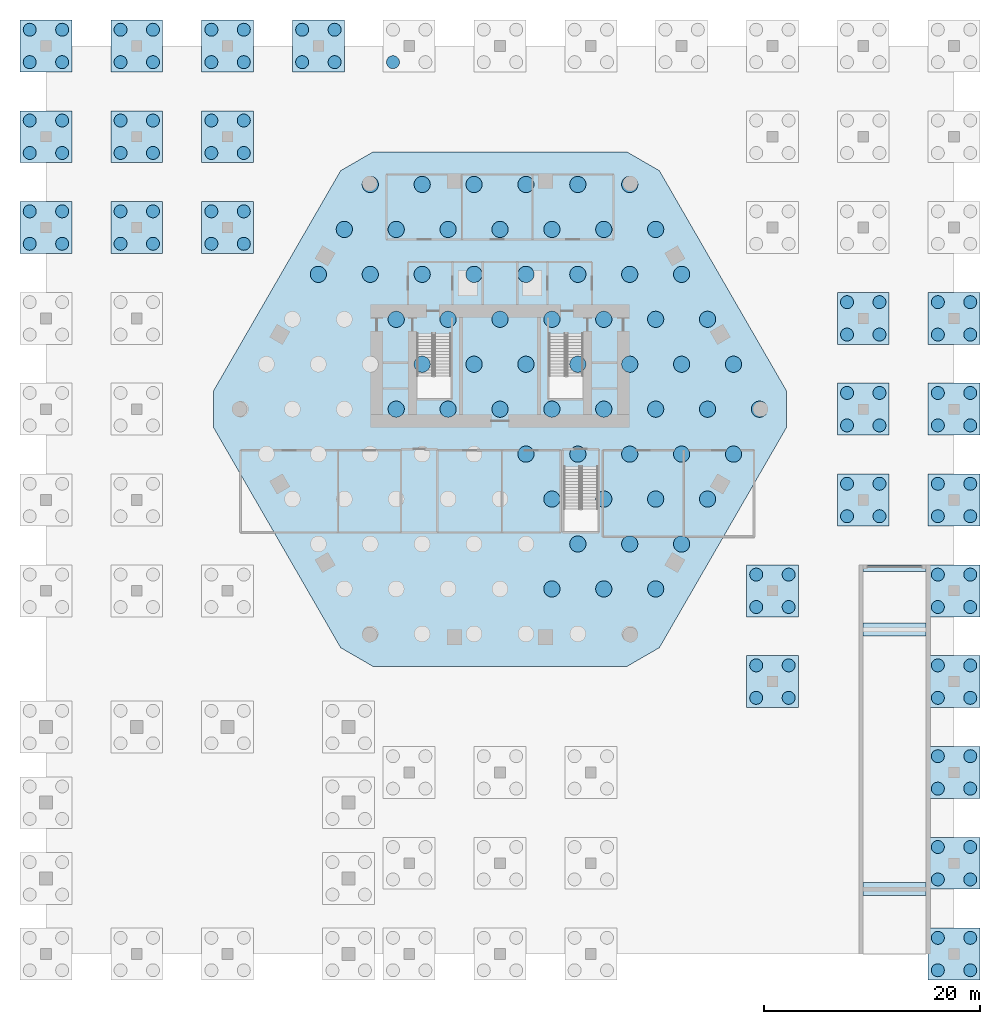
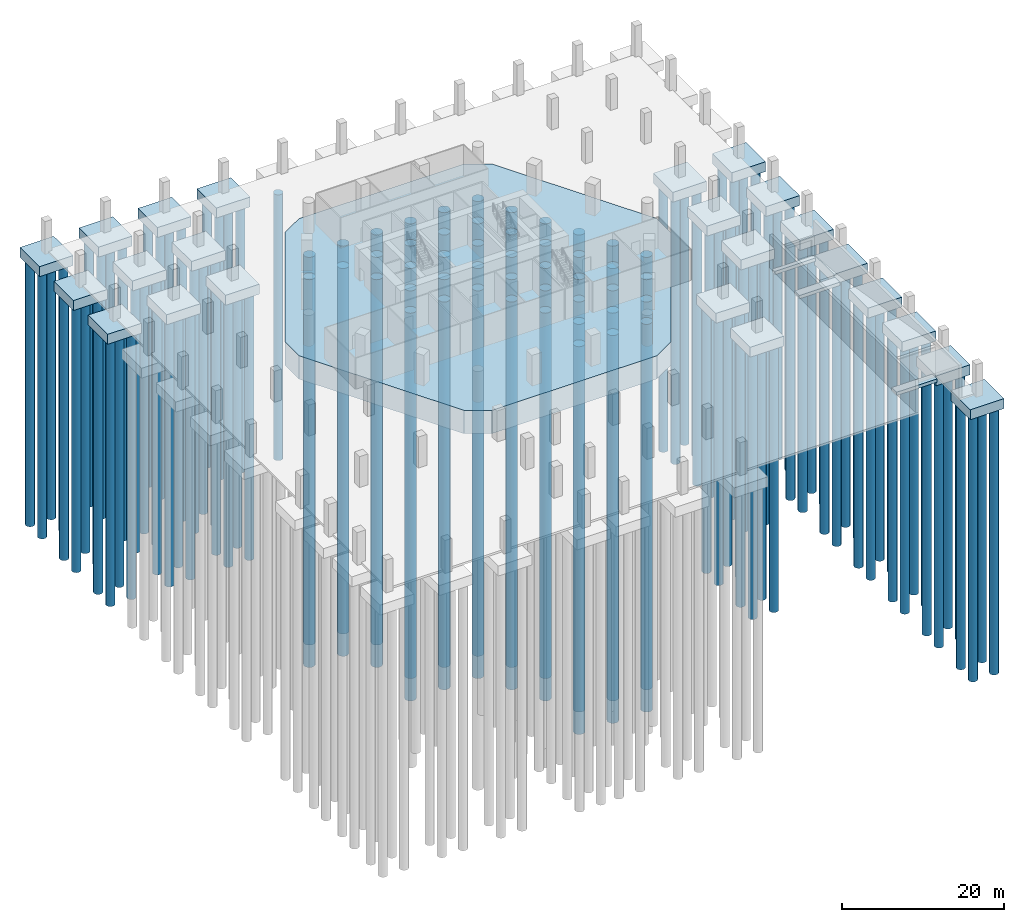
# One storey, part 2 of 7: 151 piles, 27 footings.
"""IFC4 building model written with IfcOpenShell, lengths in metres."""

from ifc_helpers import new_model, si_unit, direction, frame, origin, origin_2d, place, context, subcontext, project, spatial, polyline, circle, outline, extrude, material, layer, layer_set, material_profile, profile_set, type_object, element, save


model = new_model("IFC4")

# Units and contexts
model_context = context("Model", 3, precision=1e-05, world=origin(), true_north=direction((0.0, 1.0)))
body_context = subcontext(model_context, "Body", "Model", "MODEL_VIEW")
ifc_project = project(units=[si_unit("LENGTHUNIT", "METRE"), si_unit("AREAUNIT", "SQUARE_METRE"), si_unit("VOLUMEUNIT", "CUBIC_METRE"), si_unit("PLANEANGLEUNIT", "RADIAN"), si_unit("MASSUNIT", "GRAM", prefix="KILO")], contexts=[model_context])

# Site, building, storey
site_placement = place(None, origin())
site = spatial("IfcSite", under=ifc_project, at=site_placement, CompositionType="ELEMENT")
building_placement = place(site_placement, origin())
building = spatial("IfcBuilding", under=site, at=building_placement, Name="Ostrander Bayou Hotel Tower", CompositionType="ELEMENT")
storey_placement = place(building_placement, frame((0.0, 0.0, -5.0)))
storey = spatial("IfcBuildingStorey", under=building, at=storey_placement, Name="B1", CompositionType="ELEMENT", Elevation=-5.0)

# Piles
ifc_material_1 = material(Name="Concrete f'c 45 MPa", Category="concrete")
ifc_material_profile_1 = material_profile(ifc_material_1, circle(Radius=0.75, at=origin_2d()))
ifc_profile_set_1 = profile_set([ifc_material_profile_1], Name="Concrete f'c 45 MPa")
pile_type_1 = type_object("IfcPileType", Name="BP1 bored pile 1500 mm f'c 45 MPa", PredefinedType="BORED", material=ifc_profile_set_1)
for number, where, z_axis, x_axis, name in (
    (1, (4.800048828125, -16.6279296875, -3.39990234375), (0.0, 0.0, -1.0), (1.0, 0.0, 0.0), "BP1 pile R011"),
    (2, (9.60009765625, -16.6279296875, -3.39990234375), (0.0, 0.0, -1.0), (1.0, 0.0, 0.0), "BP1 pile R012"),
    (3, (14.39990234375, -16.6279296875, -3.39990234375), (0.0, 0.0, -1.0), (1.0, 0.0, 0.0), "BP1 pile R013"),
    (4, (7.199951171875, -12.470947265625, -3.39990234375), (0.0, 0.0, -1.0), (1.0, 0.0, 0.0), "BP1 pile R019"),
    (5, (12.0, -12.470947265625, -3.39990234375), (0.0, 0.0, -1.0), (1.0, 0.0, 0.0), "BP1 pile R020"),
    (6, (16.800048828125, -12.470947265625, -3.39990234375), (0.0, 0.0, -1.0), (1.0, 0.0, 0.0), "BP1 pile R021"),
    (7, (4.800048828125, -8.31396484375, -3.39990234375), (0.0, 0.0, -1.0), (1.0, 0.0, 0.0), "BP1 pile R027"),
    (8, (9.60009765625, -8.31396484375, -3.39990234375), (0.0, 0.0, -1.0), (1.0, 0.0, 0.0), "BP1 pile R028"),
    (9, (14.39990234375, -8.31396484375, -3.39990234375), (0.0, 0.0, -1.0), (1.0, 0.0, 0.0), "BP1 pile R029"),
    (10, (19.199951171875, -8.31396484375, -3.39990234375), (0.0, 0.0, -1.0), (1.0, 0.0, 0.0), "BP1 pile R030"),
    (11, (2.39990234375, -4.156982421875, -3.39990234375), (0.0, 0.0, -1.0), (1.0, 0.0, 0.0), "BP1 pile R036"),
    (12, (7.199951171875, -4.156982421875, -3.39990234375), (0.0, 0.0, -1.0), (1.0, 0.0, 0.0), "BP1 pile R037"),
    (13, (12.0, -4.156982421875, -3.39990234375), (0.0, 0.0, -1.0), (1.0, 0.0, 0.0), "BP1 pile R038"),
    (14, (16.800048828125, -4.156982421875, -3.39990234375), (0.0, 0.0, -1.0), (1.0, 0.0, 0.0), "BP1 pile R039"),
    (15, (21.60009765625, -4.156982421875, -3.39990234375), (0.0, 0.0, -1.0), (1.0, 0.0, 0.0), "BP1 pile R040"),
    (16, (-9.60009765625, 0.0, -3.39990234375), (0.0, 0.0, -1.0), (1.0, 0.0, 0.0), "BP1 pile R044"),
    (17, (-4.800048828125, 0.0, -3.39990234375), (0.0, 0.0, -1.0), (1.0, 0.0, 0.0), "BP1 pile R045"),
    (18, (0.0, 0.0, -3.39990234375), (0.0, 0.0, -1.0), (1.0, 0.0, 0.0), "BP1 pile R046"),
    (19, (4.800048828125, 0.0, -3.39990234375), (0.0, 0.0, -1.0), (1.0, 0.0, 0.0), "BP1 pile R047"),
    (20, (9.60009765625, 0.0, -3.39990234375), (0.0, 0.0, -1.0), (1.0, 0.0, 0.0), "BP1 pile R048"),
    (21, (14.39990234375, 0.0, -3.39990234375), (0.0, 0.0, -1.0), (1.0, 0.0, 0.0), "BP1 pile R049"),
    (22, (19.199951171875, 0.0, -3.39990234375), (0.0, 0.0, -1.0), (1.0, 0.0, 0.0), "BP1 pile R050"),
    (23, (24.0, 0.0, -3.39990234375), (0.0, 0.0, -1.0), (1.0, 0.0, 0.0), "BP1 pile R051"),
    (24, (-7.199951171875, 4.156982421875, -3.39990234375), (0.0, 0.0, -1.0), (1.0, 0.0, 0.0), "BP1 pile R055"),
    (25, (-2.39990234375, 4.156982421875, -3.39990234375), (0.0, 0.0, -1.0), (1.0, 0.0, 0.0), "BP1 pile R056"),
    (26, (2.39990234375, 4.156982421875, -3.39990234375), (0.0, 0.0, -1.0), (1.0, 0.0, 0.0), "BP1 pile R057"),
    (27, (7.199951171875, 4.156982421875, -3.39990234375), (0.0, 0.0, -1.0), (1.0, 0.0, 0.0), "BP1 pile R058"),
    (28, (12.0, 4.156982421875, -3.39990234375), (0.0, 0.0, -1.0), (1.0, 0.0, 0.0), "BP1 pile R059"),
    (29, (16.800048828125, 4.156982421875, -3.39990234375), (0.0, 0.0, -1.0), (1.0, 0.0, 0.0), "BP1 pile R060"),
    (30, (21.60009765625, 4.156982421875, -3.39990234375), (0.0, 0.0, -1.0), (1.0, 0.0, 0.0), "BP1 pile R061"),
    (31, (-9.60009765625, 8.31396484375, -3.39990234375), (0.0, 0.0, -1.0), (1.0, 0.0, 0.0), "BP1 pile R064"),
    (32, (-4.800048828125, 8.31396484375, -3.39990234375), (0.0, 0.0, -1.0), (1.0, 0.0, 0.0), "BP1 pile R065"),
    (33, (0.0, 8.31396484375, -3.39990234375), (0.0, 0.0, -1.0), (1.0, 0.0, 0.0), "BP1 pile R066"),
    (34, (4.800048828125, 8.31396484375, -3.39990234375), (0.0, 0.0, -1.0), (1.0, 0.0, 0.0), "BP1 pile R067"),
    (35, (9.60009765625, 8.31396484375, -3.39990234375), (0.0, 0.0, -1.0), (1.0, 0.0, 0.0), "BP1 pile R068"),
    (36, (14.39990234375, 8.31396484375, -3.39990234375), (0.0, 0.0, -1.0), (1.0, 0.0, 0.0), "BP1 pile R069"),
    (37, (19.199951171875, 8.31396484375, -3.39990234375), (0.0, 0.0, -1.0), (1.0, 0.0, 0.0), "BP1 pile R070"),
    (38, (-16.800048828125, 12.470947265625, -3.39990234375), (0.0, 0.0, -1.0), (1.0, 0.0, 0.0), "BP1 pile R071"),
    (39, (-12.0, 12.470947265625, -3.39990234375), (0.0, 0.0, -1.0), (1.0, 0.0, 0.0), "BP1 pile R072"),
    (40, (-7.199951171875, 12.470947265625, -3.39990234375), (0.0, 0.0, -1.0), (1.0, 0.0, 0.0), "BP1 pile R073"),
    (41, (-2.39990234375, 12.470947265625, -3.39990234375), (0.0, 0.0, -1.0), (1.0, 0.0, 0.0), "BP1 pile R074"),
    (42, (2.39990234375, 12.470947265625, -3.39990234375), (0.0, 0.0, -1.0), (1.0, 0.0, 0.0), "BP1 pile R075"),
    (43, (7.199951171875, 12.470947265625, -3.39990234375), (0.0, 0.0, -1.0), (1.0, 0.0, 0.0), "BP1 pile R076"),
    (44, (12.0, 12.470947265625, -3.39990234375), (0.0, 0.0, -1.0), (1.0, 0.0, 0.0), "BP1 pile R077"),
    (45, (16.800048828125, 12.470947265625, -3.39990234375), (0.0, 0.0, -1.0), (1.0, 0.0, 0.0), "BP1 pile R078"),
    (46, (-14.39990234375, 16.6279296875, -3.39990234375), (0.0, 0.0, -1.0), (1.0, 0.0, 0.0), "BP1 pile R079"),
    (47, (-9.60009765625, 16.6279296875, -3.39990234375), (0.0, 0.0, -1.0), (1.0, 0.0, 0.0), "BP1 pile R080"),
    (48, (-4.800048828125, 16.6279296875, -3.39990234375), (0.0, 0.0, -1.0), (1.0, 0.0, 0.0), "BP1 pile R081"),
    (49, (0.0, 16.6279296875, -3.39990234375), (0.0, 0.0, -1.0), (1.0, 0.0, 0.0), "BP1 pile R082"),
    (50, (4.800048828125, 16.6279296875, -3.39990234375), (0.0, 0.0, -1.0), (1.0, 0.0, 0.0), "BP1 pile R083"),
    (51, (9.60009765625, 16.6279296875, -3.39990234375), (0.0, 0.0, -1.0), (1.0, 0.0, 0.0), "BP1 pile R084"),
    (52, (14.39990234375, 16.6279296875, -3.39990234375), (0.0, 0.0, -1.0), (1.0, 0.0, 0.0), "BP1 pile R085"),
    (53, (-12.0, 20.784912109375, -3.39990234375), (0.0, 0.0, -1.0), (1.0, 0.0, 0.0), "BP1 pile R086"),
    (54, (-7.199951171875, 20.784912109375, -3.39990234375), (0.0, 0.0, -1.0), (1.0, 0.0, 0.0), "BP1 pile R087"),
    (55, (-2.39990234375, 20.784912109375, -3.39990234375), (0.0, 0.0, -1.0), (1.0, 0.0, 0.0), "BP1 pile R088"),
    (56, (2.39990234375, 20.784912109375, -3.39990234375), (0.0, 0.0, -1.0), (1.0, 0.0, 0.0), "BP1 pile R089"),
    (57, (7.199951171875, 20.784912109375, -3.39990234375), (0.0, 0.0, -1.0), (1.0, 0.0, 0.0), "BP1 pile R090"),
    (58, (12.0, 20.784912109375, -3.39990234375), (0.0, 0.0, -1.0), (1.0, 0.0, 0.0), "BP1 pile R091"),
):
    element("IfcPile", number, at=place(storey_placement, frame(where, z_axis=z_axis, x_axis=x_axis)), inside=storey, type_object=pile_type_1, Name=name, PredefinedType="BORED", context=body_context, shape_type="SweptSolid", body=[
        extrude(circle(Radius=0.75, at=origin_2d()), origin(), (0.0, 0.0, 1.0), 55.0),
    ])
ifc_material_2 = material(Name="Concrete f'c 45 MPa", Category="concrete")
ifc_material_profile_2 = material_profile(ifc_material_2, circle(Radius=0.60009765625, at=origin_2d()))
ifc_profile_set_2 = profile_set([ifc_material_profile_2], Name="Concrete f'c 45 MPa")
pile_type_2 = type_object("IfcPileType", Name="BP2 bored pile 1200 mm f'c 45 MPa", PredefinedType="BORED", material=ifc_profile_set_2)
for number, where, z_axis, x_axis, name in (
    (59, (-43.5, 15.300048828125, -1.699951171875), (0.0, 0.0, -1.0), (1.0, 0.0, 0.0), "BP2 pile 1I-1"),
    (60, (-40.5, 15.300048828125, -1.699951171875), (0.0, 0.0, -1.0), (1.0, 0.0, 0.0), "BP2 pile 1I-2"),
    (61, (-40.5, 18.300048828125, -1.699951171875), (0.0, 0.0, -1.0), (1.0, 0.0, 0.0), "BP2 pile 1I-3"),
    (62, (-43.5, 18.300048828125, -1.699951171875), (0.0, 0.0, -1.0), (1.0, 0.0, 0.0), "BP2 pile 1I-4"),
    (63, (-43.5, 23.699951171875, -1.699951171875), (0.0, 0.0, -1.0), (1.0, 0.0, 0.0), "BP2 pile 1J-1"),
    (64, (-40.5, 23.699951171875, -1.699951171875), (0.0, 0.0, -1.0), (1.0, 0.0, 0.0), "BP2 pile 1J-2"),
    (65, (-40.5, 26.699951171875, -1.699951171875), (0.0, 0.0, -1.0), (1.0, 0.0, 0.0), "BP2 pile 1J-3"),
    (66, (-43.5, 26.699951171875, -1.699951171875), (0.0, 0.0, -1.0), (1.0, 0.0, 0.0), "BP2 pile 1J-4"),
    (67, (-43.5, 32.10009765625, -1.699951171875), (0.0, 0.0, -1.0), (1.0, 0.0, 0.0), "BP2 pile 1K-1"),
    (68, (-40.5, 32.10009765625, -1.699951171875), (0.0, 0.0, -1.0), (1.0, 0.0, 0.0), "BP2 pile 1K-2"),
    (69, (-40.5, 35.10009765625, -1.699951171875), (0.0, 0.0, -1.0), (1.0, 0.0, 0.0), "BP2 pile 1K-3"),
    (70, (-43.5, 35.10009765625, -1.699951171875), (0.0, 0.0, -1.0), (1.0, 0.0, 0.0), "BP2 pile 1K-4"),
    (71, (-35.10009765625, 15.300048828125, -1.699951171875), (0.0, 0.0, -1.0), (1.0, 0.0, 0.0), "BP2 pile 2I-1"),
    (72, (-32.10009765625, 15.300048828125, -1.699951171875), (0.0, 0.0, -1.0), (1.0, 0.0, 0.0), "BP2 pile 2I-2"),
    (73, (-32.10009765625, 18.300048828125, -1.699951171875), (0.0, 0.0, -1.0), (1.0, 0.0, 0.0), "BP2 pile 2I-3"),
    (74, (-35.10009765625, 18.300048828125, -1.699951171875), (0.0, 0.0, -1.0), (1.0, 0.0, 0.0), "BP2 pile 2I-4"),
    (75, (-35.10009765625, 23.699951171875, -1.699951171875), (0.0, 0.0, -1.0), (1.0, 0.0, 0.0), "BP2 pile 2J-1"),
    (76, (-32.10009765625, 23.699951171875, -1.699951171875), (0.0, 0.0, -1.0), (1.0, 0.0, 0.0), "BP2 pile 2J-2"),
    (77, (-32.10009765625, 26.699951171875, -1.699951171875), (0.0, 0.0, -1.0), (1.0, 0.0, 0.0), "BP2 pile 2J-3"),
    (78, (-35.10009765625, 26.699951171875, -1.699951171875), (0.0, 0.0, -1.0), (1.0, 0.0, 0.0), "BP2 pile 2J-4"),
    (79, (-35.10009765625, 32.10009765625, -1.699951171875), (0.0, 0.0, -1.0), (1.0, 0.0, 0.0), "BP2 pile 2K-1"),
    (80, (-32.10009765625, 32.10009765625, -1.699951171875), (0.0, 0.0, -1.0), (1.0, 0.0, 0.0), "BP2 pile 2K-2"),
    (81, (-32.10009765625, 35.10009765625, -1.699951171875), (0.0, 0.0, -1.0), (1.0, 0.0, 0.0), "BP2 pile 2K-3"),
    (82, (-35.10009765625, 35.10009765625, -1.699951171875), (0.0, 0.0, -1.0), (1.0, 0.0, 0.0), "BP2 pile 2K-4"),
    (83, (-26.699951171875, 15.300048828125, -1.699951171875), (0.0, 0.0, -1.0), (1.0, 0.0, 0.0), "BP2 pile 3I-1"),
    (84, (-23.699951171875, 15.300048828125, -1.699951171875), (0.0, 0.0, -1.0), (1.0, 0.0, 0.0), "BP2 pile 3I-2"),
    (85, (-23.699951171875, 18.300048828125, -1.699951171875), (0.0, 0.0, -1.0), (1.0, 0.0, 0.0), "BP2 pile 3I-3"),
    (86, (-26.699951171875, 18.300048828125, -1.699951171875), (0.0, 0.0, -1.0), (1.0, 0.0, 0.0), "BP2 pile 3I-4"),
    (87, (-26.699951171875, 23.699951171875, -1.699951171875), (0.0, 0.0, -1.0), (1.0, 0.0, 0.0), "BP2 pile 3J-1"),
    (88, (-23.699951171875, 23.699951171875, -1.699951171875), (0.0, 0.0, -1.0), (1.0, 0.0, 0.0), "BP2 pile 3J-2"),
    (89, (-23.699951171875, 26.699951171875, -1.699951171875), (0.0, 0.0, -1.0), (1.0, 0.0, 0.0), "BP2 pile 3J-3"),
    (90, (-26.699951171875, 26.699951171875, -1.699951171875), (0.0, 0.0, -1.0), (1.0, 0.0, 0.0), "BP2 pile 3J-4"),
    (91, (-26.699951171875, 32.10009765625, -1.699951171875), (0.0, 0.0, -1.0), (1.0, 0.0, 0.0), "BP2 pile 3K-1"),
    (92, (-23.699951171875, 32.10009765625, -1.699951171875), (0.0, 0.0, -1.0), (1.0, 0.0, 0.0), "BP2 pile 3K-2"),
    (93, (-23.699951171875, 35.10009765625, -1.699951171875), (0.0, 0.0, -1.0), (1.0, 0.0, 0.0), "BP2 pile 3K-3"),
    (94, (-26.699951171875, 35.10009765625, -1.699951171875), (0.0, 0.0, -1.0), (1.0, 0.0, 0.0), "BP2 pile 3K-4"),
    (95, (-18.300048828125, 32.10009765625, -1.699951171875), (0.0, 0.0, -1.0), (1.0, 0.0, 0.0), "BP2 pile 4K-1"),
    (96, (-15.300048828125, 32.10009765625, -1.699951171875), (0.0, 0.0, -1.0), (1.0, 0.0, 0.0), "BP2 pile 4K-2"),
    (97, (-15.300048828125, 35.10009765625, -1.699951171875), (0.0, 0.0, -1.0), (1.0, 0.0, 0.0), "BP2 pile 4K-3"),
    (98, (-18.300048828125, 35.10009765625, -1.699951171875), (0.0, 0.0, -1.0), (1.0, 0.0, 0.0), "BP2 pile 4K-4"),
    (99, (-9.89990234375, 32.10009765625, -1.699951171875), (0.0, 0.0, -1.0), (1.0, 0.0, 0.0), "BP2 pile 5K-1"),
    (100, (23.699951171875, -26.699951171875, -1.699951171875), (0.0, 0.0, -1.0), (1.0, 0.0, 0.0), "BP2 pile 9D-1"),
    (101, (26.699951171875, -26.699951171875, -1.699951171875), (0.0, 0.0, -1.0), (1.0, 0.0, 0.0), "BP2 pile 9D-2"),
    (102, (26.699951171875, -23.699951171875, -1.699951171875), (0.0, 0.0, -1.0), (1.0, 0.0, 0.0), "BP2 pile 9D-3"),
    (103, (23.699951171875, -23.699951171875, -1.699951171875), (0.0, 0.0, -1.0), (1.0, 0.0, 0.0), "BP2 pile 9D-4"),
    (104, (23.699951171875, -18.300048828125, -1.699951171875), (0.0, 0.0, -1.0), (1.0, 0.0, 0.0), "BP2 pile 9E-1"),
    (105, (26.699951171875, -18.300048828125, -1.699951171875), (0.0, 0.0, -1.0), (1.0, 0.0, 0.0), "BP2 pile 9E-2"),
    (106, (26.699951171875, -15.300048828125, -1.699951171875), (0.0, 0.0, -1.0), (1.0, 0.0, 0.0), "BP2 pile 9E-3"),
    (107, (23.699951171875, -15.300048828125, -1.699951171875), (0.0, 0.0, -1.0), (1.0, 0.0, 0.0), "BP2 pile 9E-4"),
    (108, (32.10009765625, -9.89990234375, -1.699951171875), (0.0, 0.0, -1.0), (1.0, 0.0, 0.0), "BP2 pile 10F-1"),
    (109, (35.10009765625, -9.89990234375, -1.699951171875), (0.0, 0.0, -1.0), (1.0, 0.0, 0.0), "BP2 pile 10F-2"),
    (110, (35.10009765625, -6.89990234375, -1.699951171875), (0.0, 0.0, -1.0), (1.0, 0.0, 0.0), "BP2 pile 10F-3"),
    (111, (32.10009765625, -6.89990234375, -1.699951171875), (0.0, 0.0, -1.0), (1.0, 0.0, 0.0), "BP2 pile 10F-4"),
    (112, (32.10009765625, -1.5, -1.699951171875), (0.0, 0.0, -1.0), (1.0, 0.0, 0.0), "BP2 pile 10G-1"),
    (113, (35.10009765625, -1.5, -1.699951171875), (0.0, 0.0, -1.0), (1.0, 0.0, 0.0), "BP2 pile 10G-2"),
    (114, (35.10009765625, 1.5, -1.699951171875), (0.0, 0.0, -1.0), (1.0, 0.0, 0.0), "BP2 pile 10G-3"),
    (115, (32.10009765625, 1.5, -1.699951171875), (0.0, 0.0, -1.0), (1.0, 0.0, 0.0), "BP2 pile 10G-4"),
    (116, (32.10009765625, 6.89990234375, -1.699951171875), (0.0, 0.0, -1.0), (1.0, 0.0, 0.0), "BP2 pile 10H-1"),
    (117, (35.10009765625, 6.89990234375, -1.699951171875), (0.0, 0.0, -1.0), (1.0, 0.0, 0.0), "BP2 pile 10H-2"),
    (118, (35.10009765625, 9.89990234375, -1.699951171875), (0.0, 0.0, -1.0), (1.0, 0.0, 0.0), "BP2 pile 10H-3"),
    (119, (32.10009765625, 9.89990234375, -1.699951171875), (0.0, 0.0, -1.0), (1.0, 0.0, 0.0), "BP2 pile 10H-4"),
    (120, (40.5, -51.89990234375, -1.699951171875), (0.0, 0.0, -1.0), (1.0, 0.0, 0.0), "BP2 pile 11A-1"),
    (121, (43.5, -51.89990234375, -1.699951171875), (0.0, 0.0, -1.0), (1.0, 0.0, 0.0), "BP2 pile 11A-2"),
    (122, (43.5, -48.89990234375, -1.699951171875), (0.0, 0.0, -1.0), (1.0, 0.0, 0.0), "BP2 pile 11A-3"),
    (123, (40.5, -48.89990234375, -1.699951171875), (0.0, 0.0, -1.0), (1.0, 0.0, 0.0), "BP2 pile 11A-4"),
    (124, (40.5, -43.5, -1.699951171875), (0.0, 0.0, -1.0), (1.0, 0.0, 0.0), "BP2 pile 11B-1"),
    (125, (43.5, -43.5, -1.699951171875), (0.0, 0.0, -1.0), (1.0, 0.0, 0.0), "BP2 pile 11B-2"),
    (126, (43.5, -40.5, -1.699951171875), (0.0, 0.0, -1.0), (1.0, 0.0, 0.0), "BP2 pile 11B-3"),
    (127, (40.5, -40.5, -1.699951171875), (0.0, 0.0, -1.0), (1.0, 0.0, 0.0), "BP2 pile 11B-4"),
    (128, (40.5, -35.10009765625, -1.699951171875), (0.0, 0.0, -1.0), (1.0, 0.0, 0.0), "BP2 pile 11C-1"),
    (129, (43.5, -35.10009765625, -1.699951171875), (0.0, 0.0, -1.0), (1.0, 0.0, 0.0), "BP2 pile 11C-2"),
    (130, (43.5, -32.10009765625, -1.699951171875), (0.0, 0.0, -1.0), (1.0, 0.0, 0.0), "BP2 pile 11C-3"),
    (131, (40.5, -32.10009765625, -1.699951171875), (0.0, 0.0, -1.0), (1.0, 0.0, 0.0), "BP2 pile 11C-4"),
    (132, (40.5, -26.699951171875, -1.699951171875), (0.0, 0.0, -1.0), (1.0, 0.0, 0.0), "BP2 pile 11D-1"),
    (133, (43.5, -26.699951171875, -1.699951171875), (0.0, 0.0, -1.0), (1.0, 0.0, 0.0), "BP2 pile 11D-2"),
    (134, (43.5, -23.699951171875, -1.699951171875), (0.0, 0.0, -1.0), (1.0, 0.0, 0.0), "BP2 pile 11D-3"),
    (135, (40.5, -23.699951171875, -1.699951171875), (0.0, 0.0, -1.0), (1.0, 0.0, 0.0), "BP2 pile 11D-4"),
    (136, (40.5, -18.300048828125, -1.699951171875), (0.0, 0.0, -1.0), (1.0, 0.0, 0.0), "BP2 pile 11E-1"),
    (137, (43.5, -18.300048828125, -1.699951171875), (0.0, 0.0, -1.0), (1.0, 0.0, 0.0), "BP2 pile 11E-2"),
    (138, (43.5, -15.300048828125, -1.699951171875), (0.0, 0.0, -1.0), (1.0, 0.0, 0.0), "BP2 pile 11E-3"),
    (139, (40.5, -15.300048828125, -1.699951171875), (0.0, 0.0, -1.0), (1.0, 0.0, 0.0), "BP2 pile 11E-4"),
    (140, (40.5, -9.89990234375, -1.699951171875), (0.0, 0.0, -1.0), (1.0, 0.0, 0.0), "BP2 pile 11F-1"),
    (141, (43.5, -9.89990234375, -1.699951171875), (0.0, 0.0, -1.0), (1.0, 0.0, 0.0), "BP2 pile 11F-2"),
    (142, (43.5, -6.89990234375, -1.699951171875), (0.0, 0.0, -1.0), (1.0, 0.0, 0.0), "BP2 pile 11F-3"),
    (143, (40.5, -6.89990234375, -1.699951171875), (0.0, 0.0, -1.0), (1.0, 0.0, 0.0), "BP2 pile 11F-4"),
    (144, (40.5, -1.5, -1.699951171875), (0.0, 0.0, -1.0), (1.0, 0.0, 0.0), "BP2 pile 11G-1"),
    (145, (43.5, -1.5, -1.699951171875), (0.0, 0.0, -1.0), (1.0, 0.0, 0.0), "BP2 pile 11G-2"),
    (146, (43.5, 1.5, -1.699951171875), (0.0, 0.0, -1.0), (1.0, 0.0, 0.0), "BP2 pile 11G-3"),
    (147, (40.5, 1.5, -1.699951171875), (0.0, 0.0, -1.0), (1.0, 0.0, 0.0), "BP2 pile 11G-4"),
    (148, (40.5, 6.89990234375, -1.699951171875), (0.0, 0.0, -1.0), (1.0, 0.0, 0.0), "BP2 pile 11H-1"),
    (149, (43.5, 6.89990234375, -1.699951171875), (0.0, 0.0, -1.0), (1.0, 0.0, 0.0), "BP2 pile 11H-2"),
    (150, (43.5, 9.89990234375, -1.699951171875), (0.0, 0.0, -1.0), (1.0, 0.0, 0.0), "BP2 pile 11H-3"),
    (151, (40.5, 9.89990234375, -1.699951171875), (0.0, 0.0, -1.0), (1.0, 0.0, 0.0), "BP2 pile 11H-4"),
):
    element("IfcPile", number, at=place(storey_placement, frame(where, z_axis=z_axis, x_axis=x_axis)), inside=storey, type_object=pile_type_2, Name=name, PredefinedType="BORED", context=body_context, shape_type="SweptSolid", body=[
        extrude(circle(Radius=0.60009765625, at=origin_2d()), origin(), (0.0, 0.0, 1.0), 40.0),
    ])

# Footings
ifc_material_3 = material(Name="Concrete f'c 50 MPa", Category="concrete")
ifc_layer = layer(ifc_material_3, 3.5)
ifc_layer_set = layer_set([ifc_layer], Name="F1 raft foundation 3500 mm f'c 50 MPa")
footing_type_1 = type_object("IfcFootingType", Name="F1 raft foundation 3500 mm f'c 50 MPa", PredefinedType="PAD_FOOTING", material=ifc_layer_set)
footing_1_placement = place(storey_placement, frame((0.0, 0.0, -3.5)))
element("IfcFooting", 152, at=footing_1_placement, inside=storey, type_object=footing_type_1, Name="F1 raft foundation", PredefinedType="PAD_FOOTING", context=body_context, shape_type="SweptSolid", body=[
    extrude(outline(polyline([(-14.7431640625, 22.064208984375), (-11.736572265625, 23.800048828125), (11.736572265625, 23.800048828125), (14.7431640625, 22.064208984375), (26.479736328125, 1.73583984375), (26.479736328125, -1.73583984375), (14.7431640625, -22.064208984375), (11.736572265625, -23.800048828125), (-11.736572265625, -23.800048828125), (-14.7431640625, -22.064208984375), (-26.479736328125, -1.73583984375), (-26.479736328125, 1.73583984375), (-14.7431640625, 22.064208984375)])), origin(), (0.0, 0.0, 1.0), 3.5),
])
ifc_material_4 = material(Name="Concrete f'c 45 MPa", Category="concrete")
footing_type_2 = type_object("IfcFootingType", Name="F2 pile cap 4800 x 4800 x 1500 mm f'c 45 MPa", PredefinedType="PILE_CAP", material=ifc_material_4)
footing_2_placement = place(storey_placement, frame((0.0, 0.0, -1.800048828125)))
element("IfcFooting", 153, at=footing_2_placement, inside=storey, type_object=footing_type_2, Name="F2 pile cap 1I", PredefinedType="PILE_CAP", context=body_context, shape_type="SweptSolid", body=[
    extrude(outline(polyline([(-39.60009765625, 14.39990234375), (-39.60009765625, 19.199951171875), (-44.39990234375, 19.199951171875), (-44.39990234375, 14.39990234375), (-39.60009765625, 14.39990234375)])), origin(), (0.0, 0.0, 1.0), 1.5),
])
footing_3_placement = place(storey_placement, frame((0.0, 0.0, -1.800048828125)))
element("IfcFooting", 154, at=footing_3_placement, inside=storey, type_object=footing_type_2, Name="F2 pile cap 1J", PredefinedType="PILE_CAP", context=body_context, shape_type="SweptSolid", body=[
    extrude(outline(polyline([(-39.60009765625, 22.800048828125), (-39.60009765625, 27.60009765625), (-44.39990234375, 27.60009765625), (-44.39990234375, 22.800048828125), (-39.60009765625, 22.800048828125)])), origin(), (0.0, 0.0, 1.0), 1.5),
])
footing_4_placement = place(storey_placement, frame((0.0, 0.0, -1.800048828125)))
element("IfcFooting", 155, at=footing_4_placement, inside=storey, type_object=footing_type_2, Name="F2 pile cap 1K", PredefinedType="PILE_CAP", context=body_context, shape_type="SweptSolid", body=[
    extrude(outline(polyline([(-39.60009765625, 31.199951171875), (-39.60009765625, 36.0), (-44.39990234375, 36.0), (-44.39990234375, 31.199951171875), (-39.60009765625, 31.199951171875)])), origin(), (0.0, 0.0, 1.0), 1.5),
])
footing_5_placement = place(storey_placement, frame((0.0, 0.0, -1.800048828125)))
element("IfcFooting", 156, at=footing_5_placement, inside=storey, type_object=footing_type_2, Name="F2 pile cap 2I", PredefinedType="PILE_CAP", context=body_context, shape_type="SweptSolid", body=[
    extrude(outline(polyline([(-31.199951171875, 14.39990234375), (-31.199951171875, 19.199951171875), (-36.0, 19.199951171875), (-36.0, 14.39990234375), (-31.199951171875, 14.39990234375)])), origin(), (0.0, 0.0, 1.0), 1.5),
])
footing_6_placement = place(storey_placement, frame((0.0, 0.0, -1.800048828125)))
element("IfcFooting", 157, at=footing_6_placement, inside=storey, type_object=footing_type_2, Name="F2 pile cap 2J", PredefinedType="PILE_CAP", context=body_context, shape_type="SweptSolid", body=[
    extrude(outline(polyline([(-31.199951171875, 22.800048828125), (-31.199951171875, 27.60009765625), (-36.0, 27.60009765625), (-36.0, 22.800048828125), (-31.199951171875, 22.800048828125)])), origin(), (0.0, 0.0, 1.0), 1.5),
])
footing_7_placement = place(storey_placement, frame((0.0, 0.0, -1.800048828125)))
element("IfcFooting", 158, at=footing_7_placement, inside=storey, type_object=footing_type_2, Name="F2 pile cap 2K", PredefinedType="PILE_CAP", context=body_context, shape_type="SweptSolid", body=[
    extrude(outline(polyline([(-31.199951171875, 31.199951171875), (-31.199951171875, 36.0), (-36.0, 36.0), (-36.0, 31.199951171875), (-31.199951171875, 31.199951171875)])), origin(), (0.0, 0.0, 1.0), 1.5),
])
footing_8_placement = place(storey_placement, frame((0.0, 0.0, -1.800048828125)))
element("IfcFooting", 159, at=footing_8_placement, inside=storey, type_object=footing_type_2, Name="F2 pile cap 3I", PredefinedType="PILE_CAP", context=body_context, shape_type="SweptSolid", body=[
    extrude(outline(polyline([(-22.800048828125, 14.39990234375), (-22.800048828125, 19.199951171875), (-27.60009765625, 19.199951171875), (-27.60009765625, 14.39990234375), (-22.800048828125, 14.39990234375)])), origin(), (0.0, 0.0, 1.0), 1.5),
])
footing_9_placement = place(storey_placement, frame((0.0, 0.0, -1.800048828125)))
element("IfcFooting", 160, at=footing_9_placement, inside=storey, type_object=footing_type_2, Name="F2 pile cap 3J", PredefinedType="PILE_CAP", context=body_context, shape_type="SweptSolid", body=[
    extrude(outline(polyline([(-22.800048828125, 22.800048828125), (-22.800048828125, 27.60009765625), (-27.60009765625, 27.60009765625), (-27.60009765625, 22.800048828125), (-22.800048828125, 22.800048828125)])), origin(), (0.0, 0.0, 1.0), 1.5),
])
footing_10_placement = place(storey_placement, frame((0.0, 0.0, -1.800048828125)))
element("IfcFooting", 161, at=footing_10_placement, inside=storey, type_object=footing_type_2, Name="F2 pile cap 3K", PredefinedType="PILE_CAP", context=body_context, shape_type="SweptSolid", body=[
    extrude(outline(polyline([(-22.800048828125, 31.199951171875), (-22.800048828125, 36.0), (-27.60009765625, 36.0), (-27.60009765625, 31.199951171875), (-22.800048828125, 31.199951171875)])), origin(), (0.0, 0.0, 1.0), 1.5),
])
footing_11_placement = place(storey_placement, frame((0.0, 0.0, -1.800048828125)))
element("IfcFooting", 162, at=footing_11_placement, inside=storey, type_object=footing_type_2, Name="F2 pile cap 4K", PredefinedType="PILE_CAP", context=body_context, shape_type="SweptSolid", body=[
    extrude(outline(polyline([(-14.39990234375, 31.199951171875), (-14.39990234375, 36.0), (-19.199951171875, 36.0), (-19.199951171875, 31.199951171875), (-14.39990234375, 31.199951171875)])), origin(), (0.0, 0.0, 1.0), 1.5),
])
footing_12_placement = place(storey_placement, frame((0.0, 0.0, -1.800048828125)))
element("IfcFooting", 163, at=footing_12_placement, inside=storey, type_object=footing_type_2, Name="F2 pile cap 9D", PredefinedType="PILE_CAP", context=body_context, shape_type="SweptSolid", body=[
    extrude(outline(polyline([(27.60009765625, -27.60009765625), (27.60009765625, -22.800048828125), (22.800048828125, -22.800048828125), (22.800048828125, -27.60009765625), (27.60009765625, -27.60009765625)])), origin(), (0.0, 0.0, 1.0), 1.5),
])
footing_13_placement = place(storey_placement, frame((0.0, 0.0, -1.800048828125)))
element("IfcFooting", 164, at=footing_13_placement, inside=storey, type_object=footing_type_2, Name="F2 pile cap 9E", PredefinedType="PILE_CAP", context=body_context, shape_type="SweptSolid", body=[
    extrude(outline(polyline([(27.60009765625, -19.199951171875), (27.60009765625, -14.39990234375), (22.800048828125, -14.39990234375), (22.800048828125, -19.199951171875), (27.60009765625, -19.199951171875)])), origin(), (0.0, 0.0, 1.0), 1.5),
])
footing_14_placement = place(storey_placement, frame((0.0, 0.0, -1.800048828125)))
element("IfcFooting", 165, at=footing_14_placement, inside=storey, type_object=footing_type_2, Name="F2 pile cap 10F", PredefinedType="PILE_CAP", context=body_context, shape_type="SweptSolid", body=[
    extrude(outline(polyline([(36.0, -10.800048828125), (36.0, -6.0), (31.199951171875, -6.0), (31.199951171875, -10.800048828125), (36.0, -10.800048828125)])), origin(), (0.0, 0.0, 1.0), 1.5),
])
footing_15_placement = place(storey_placement, frame((0.0, 0.0, -1.800048828125)))
element("IfcFooting", 166, at=footing_15_placement, inside=storey, type_object=footing_type_2, Name="F2 pile cap 10G", PredefinedType="PILE_CAP", context=body_context, shape_type="SweptSolid", body=[
    extrude(outline(polyline([(36.0, -2.39990234375), (36.0, 2.39990234375), (31.199951171875, 2.39990234375), (31.199951171875, -2.39990234375), (36.0, -2.39990234375)])), origin(), (0.0, 0.0, 1.0), 1.5),
])
footing_16_placement = place(storey_placement, frame((0.0, 0.0, -1.800048828125)))
element("IfcFooting", 167, at=footing_16_placement, inside=storey, type_object=footing_type_2, Name="F2 pile cap 10H", PredefinedType="PILE_CAP", context=body_context, shape_type="SweptSolid", body=[
    extrude(outline(polyline([(36.0, 6.0), (36.0, 10.800048828125), (31.199951171875, 10.800048828125), (31.199951171875, 6.0), (36.0, 6.0)])), origin(), (0.0, 0.0, 1.0), 1.5),
])
footing_17_placement = place(storey_placement, frame((0.0, 0.0, -1.800048828125)))
element("IfcFooting", 168, at=footing_17_placement, inside=storey, type_object=footing_type_2, Name="F2 pile cap 11A", PredefinedType="PILE_CAP", context=body_context, shape_type="SweptSolid", body=[
    extrude(outline(polyline([(44.39990234375, -52.800048828125), (44.39990234375, -48.0), (39.60009765625, -48.0), (39.60009765625, -52.800048828125), (44.39990234375, -52.800048828125)])), origin(), (0.0, 0.0, 1.0), 1.5),
])
footing_18_placement = place(storey_placement, frame((0.0, 0.0, -1.800048828125)))
element("IfcFooting", 169, at=footing_18_placement, inside=storey, type_object=footing_type_2, Name="F2 pile cap 11B", PredefinedType="PILE_CAP", context=body_context, shape_type="SweptSolid", body=[
    extrude(outline(polyline([(44.39990234375, -44.39990234375), (44.39990234375, -39.60009765625), (39.60009765625, -39.60009765625), (39.60009765625, -44.39990234375), (44.39990234375, -44.39990234375)])), origin(), (0.0, 0.0, 1.0), 1.5),
])
footing_19_placement = place(storey_placement, frame((0.0, 0.0, -1.800048828125)))
element("IfcFooting", 170, at=footing_19_placement, inside=storey, type_object=footing_type_2, Name="F2 pile cap 11C", PredefinedType="PILE_CAP", context=body_context, shape_type="SweptSolid", body=[
    extrude(outline(polyline([(44.39990234375, -36.0), (44.39990234375, -31.199951171875), (39.60009765625, -31.199951171875), (39.60009765625, -36.0), (44.39990234375, -36.0)])), origin(), (0.0, 0.0, 1.0), 1.5),
])
footing_20_placement = place(storey_placement, frame((0.0, 0.0, -1.800048828125)))
element("IfcFooting", 171, at=footing_20_placement, inside=storey, type_object=footing_type_2, Name="F2 pile cap 11D", PredefinedType="PILE_CAP", context=body_context, shape_type="SweptSolid", body=[
    extrude(outline(polyline([(44.39990234375, -27.60009765625), (44.39990234375, -22.800048828125), (39.60009765625, -22.800048828125), (39.60009765625, -27.60009765625), (44.39990234375, -27.60009765625)])), origin(), (0.0, 0.0, 1.0), 1.5),
])
footing_21_placement = place(storey_placement, frame((0.0, 0.0, -1.800048828125)))
element("IfcFooting", 172, at=footing_21_placement, inside=storey, type_object=footing_type_2, Name="F2 pile cap 11E", PredefinedType="PILE_CAP", context=body_context, shape_type="SweptSolid", body=[
    extrude(outline(polyline([(44.39990234375, -19.199951171875), (44.39990234375, -14.39990234375), (39.60009765625, -14.39990234375), (39.60009765625, -19.199951171875), (44.39990234375, -19.199951171875)])), origin(), (0.0, 0.0, 1.0), 1.5),
])
footing_22_placement = place(storey_placement, frame((0.0, 0.0, -1.800048828125)))
element("IfcFooting", 173, at=footing_22_placement, inside=storey, type_object=footing_type_2, Name="F2 pile cap 11F", PredefinedType="PILE_CAP", context=body_context, shape_type="SweptSolid", body=[
    extrude(outline(polyline([(44.39990234375, -10.800048828125), (44.39990234375, -6.0), (39.60009765625, -6.0), (39.60009765625, -10.800048828125), (44.39990234375, -10.800048828125)])), origin(), (0.0, 0.0, 1.0), 1.5),
])
footing_23_placement = place(storey_placement, frame((0.0, 0.0, -1.800048828125)))
element("IfcFooting", 174, at=footing_23_placement, inside=storey, type_object=footing_type_2, Name="F2 pile cap 11G", PredefinedType="PILE_CAP", context=body_context, shape_type="SweptSolid", body=[
    extrude(outline(polyline([(44.39990234375, -2.39990234375), (44.39990234375, 2.39990234375), (39.60009765625, 2.39990234375), (39.60009765625, -2.39990234375), (44.39990234375, -2.39990234375)])), origin(), (0.0, 0.0, 1.0), 1.5),
])
footing_24_placement = place(storey_placement, frame((0.0, 0.0, -1.800048828125)))
element("IfcFooting", 175, at=footing_24_placement, inside=storey, type_object=footing_type_2, Name="F2 pile cap 11H", PredefinedType="PILE_CAP", context=body_context, shape_type="SweptSolid", body=[
    extrude(outline(polyline([(44.39990234375, 6.0), (44.39990234375, 10.800048828125), (39.60009765625, 10.800048828125), (39.60009765625, 6.0), (44.39990234375, 6.0)])), origin(), (0.0, 0.0, 1.0), 1.5),
])
ifc_material_5 = material(Name="Concrete f'c 40 MPa", Category="concrete")
footing_type_3 = type_object("IfcFootingType", Name="RS1 ramp sill footing 1200 x 500 mm f'c 40 MPa", PredefinedType="STRIP_FOOTING", material=ifc_material_5)
footing_25_placement = place(storey_placement, frame((0.0, 0.0, -0.800048828125)))
element("IfcFooting", 176, at=footing_25_placement, inside=storey, type_object=footing_type_3, Name="RS1 RAMP SILL FOOTING 1", PredefinedType="STRIP_FOOTING", context=body_context, shape_type="SweptSolid", body=[
    extrude(outline(polyline([(39.39990234375, -45.0), (39.39990234375, -43.800048828125), (33.60009765625, -43.800048828125), (33.60009765625, -45.0), (39.39990234375, -45.0)])), origin(), (0.0, 0.0, 1.0), 0.5),
])
footing_26_placement = place(storey_placement, frame((0.0, 0.0, -0.800048828125)))
element("IfcFooting", 177, at=footing_26_placement, inside=storey, type_object=footing_type_3, Name="RS1 RAMP SILL FOOTING 2", PredefinedType="STRIP_FOOTING", context=body_context, shape_type="SweptSolid", body=[
    extrude(outline(polyline([(39.39990234375, -21.0), (39.39990234375, -19.800048828125), (33.60009765625, -19.800048828125), (33.60009765625, -21.0), (39.39990234375, -21.0)])), origin(), (0.0, 0.0, 1.0), 0.5),
])
footing_27_placement = place(storey_placement, frame((0.0, 0.0, -0.800048828125)))
element("IfcFooting", 178, at=footing_27_placement, inside=storey, type_object=footing_type_3, Name="RS1 RAMP END FOOTING", PredefinedType="STRIP_FOOTING", context=body_context, shape_type="SweptSolid", body=[
    extrude(outline(polyline([(39.39990234375, -15.0), (39.39990234375, -14.39990234375), (33.60009765625, -14.39990234375), (33.60009765625, -15.0), (39.39990234375, -15.0)])), origin(), (0.0, 0.0, 1.0), 0.5),
])

save(model, "model.ifc")
